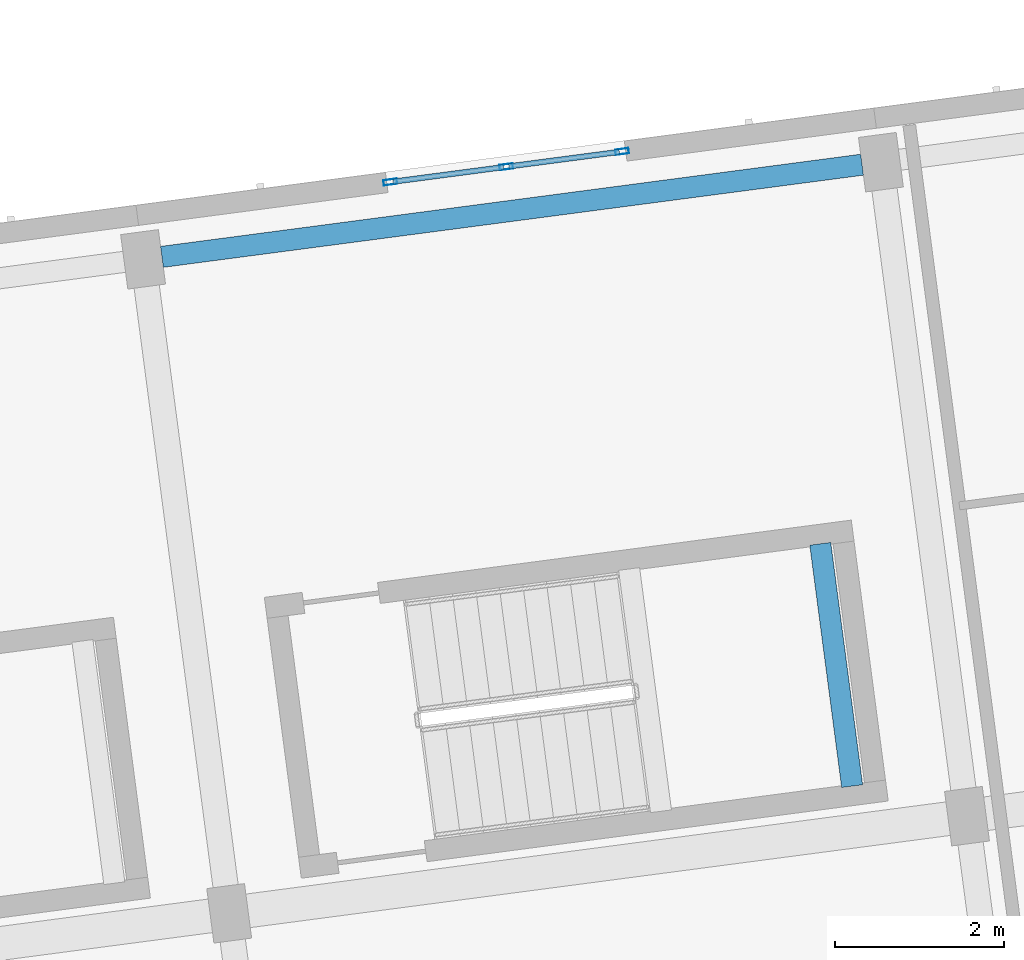
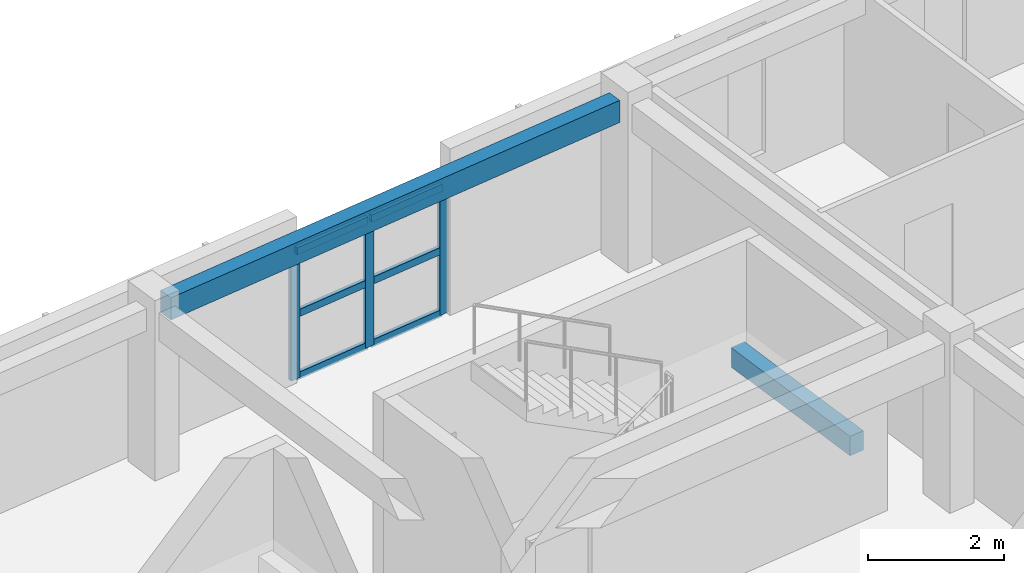
# One storey, part 5 of 31: 9 members, 2 beams, 1 element without a shape of its own.
"""IFC4 building model written with IfcOpenShell, lengths in metres."""

from ifc_helpers import new_model, si_unit, direction, frame, origin, origin_2d, place, context, subcontext, project, spatial, rectangle, hollow_rectangle, extrude, material, material_profile, profile_set, type_object, element, aggregate, save


model = new_model("IFC4")

# Units and contexts
model_context = context("Model", 3, precision=1e-05, world=origin(), true_north=direction((0.0, 1.0)))
body_context = subcontext(model_context, "Body", "Model", "MODEL_VIEW")
ifc_project = project(units=[si_unit("LENGTHUNIT", "METRE"), si_unit("AREAUNIT", "SQUARE_METRE"), si_unit("VOLUMEUNIT", "CUBIC_METRE"), si_unit("PLANEANGLEUNIT", "RADIAN"), si_unit("MASSUNIT", "GRAM", prefix="KILO")], contexts=[model_context])

# Site, building, storey
site_placement = place(None, origin())
site = spatial("IfcSite", under=ifc_project, at=site_placement, CompositionType="ELEMENT")
building_placement = place(site_placement, origin())
building = spatial("IfcBuilding", under=site, at=building_placement, Name="Kestramere Prow Commons", CompositionType="ELEMENT")
storey_placement = place(building_placement, frame((0.0, 0.0, 37.64990234375)))
storey = spatial("IfcBuildingStorey", under=building, at=storey_placement, Name="L11", CompositionType="ELEMENT", Elevation=37.64990234375)

# Beam
ifc_material_1 = material(Name="Concrete C40/50", Category="concrete")
ifc_material_profile_1 = material_profile(ifc_material_1, rectangle(XDim=0.25, YDim=0.35009765625, at=origin_2d()), Name="PC-BM 250x350")
ifc_profile_set_1 = profile_set([ifc_material_profile_1], Name="Concrete C40/50")
beam_type_1 = type_object("IfcBeamType", Name="BM-ST-TRIM", PredefinedType="BEAM", material=ifc_profile_set_1)
beam_1_placement = place(storey_placement, frame((34.423583984375, 87.897216796875, 1.25), z_axis=(-0.130509140242, 0.99144710616, 0.0), x_axis=(-0.99144710616, -0.130509140242, 0.0)))
element("IfcBeam", 1, at=beam_1_placement, inside=storey, type_object=beam_type_1, Name="ST-A2 L11 Landing Trimmer Beam 1B", PredefinedType="BEAM", context=body_context, shape_type="SweptSolid", body=[
    extrude(rectangle(XDim=0.25, YDim=0.35009765625, at=origin_2d()), origin(), (0.0, 0.0, 1.0), 2.89013671875),
])

# Curtain wall, members
ifc_material_2 = material(Name="Anodised Aluminium and Low-E Glass", Category="aluminium")
curtain_wall_type = type_object("IfcCurtainWallType", Name="CW-03 Glazed Curtain Wall 2830x2320", PredefinedType="USERDEFINED", material=ifc_material_2)
curtain_wall_placement = place(storey_placement, origin())
curtain_wall = element("IfcCurtainWall", 2, at=curtain_wall_placement, inside=storey, type_object=curtain_wall_type, Name="Block A L11 Stairwell Vertical Glazing 3", ObjectType="GLAZED CURTAIN WALL", PredefinedType="USERDEFINED")
ifc_material_3 = material(Name="Anodised Aluminium 6063-T6", Category="aluminium")
ifc_material_profile_2 = material_profile(ifc_material_3, hollow_rectangle(XDim=0.06494140625, YDim=0.159912109375, WallThickness=0.00390625, at=origin_2d()), Name="ALU-MUL 65x160")
ifc_profile_set_2 = profile_set([ifc_material_profile_2], Name="Anodised Aluminium 6063-T6")
member_type_1 = type_object("IfcMemberType", Name="CW-MUL-65x160", PredefinedType="MULLION", material=ifc_profile_set_2)
member_1_placement = place(storey_placement, frame((28.962158203125, 95.04052734375, 0.0), z_axis=(0.0, 0.0, 1.0), x_axis=(-0.130526494555, 0.991444821571, 0.0)))
member_1 = element("IfcMember", 3, at=member_1_placement, type_object=member_type_1, Name="CW-03 mullion 1", PredefinedType="MULLION", context=body_context, shape_type="SweptSolid", body=[
    extrude(hollow_rectangle(XDim=0.06494140625, YDim=0.159912109375, WallThickness=0.00390625, at=origin_2d()), origin(), (0.0, 0.0, 1.0), 2.320068359375),
])
member_2_placement = place(storey_placement, frame((30.332763671875, 95.220947265625, 0.0), z_axis=(0.0, 0.0, 1.0), x_axis=(-0.130526494555, 0.991444821571, 0.0)))
member_2 = element("IfcMember", 4, at=member_2_placement, type_object=member_type_1, Name="CW-03 mullion 2", PredefinedType="MULLION", context=body_context, shape_type="SweptSolid", body=[
    extrude(hollow_rectangle(XDim=0.06494140625, YDim=0.159912109375, WallThickness=0.00390625, at=origin_2d()), origin(), (0.0, 0.0, 1.0), 2.320068359375),
])
member_3_placement = place(storey_placement, frame((31.703369140625, 95.4013671875, 0.0), z_axis=(0.0, 0.0, 1.0), x_axis=(-0.130526494555, 0.991444821571, 0.0)))
member_3 = element("IfcMember", 5, at=member_3_placement, type_object=member_type_1, Name="CW-03 mullion 3", PredefinedType="MULLION", context=body_context, shape_type="SweptSolid", body=[
    extrude(hollow_rectangle(XDim=0.06494140625, YDim=0.159912109375, WallThickness=0.00390625, at=origin_2d()), origin(), (0.0, 0.0, 1.0), 2.320068359375),
])
ifc_material_profile_3 = material_profile(ifc_material_3, hollow_rectangle(XDim=0.06494140625, YDim=0.1298828125, WallThickness=0.00390625, at=origin_2d()), Name="ALU-TRN 65x130")
ifc_profile_set_3 = profile_set([ifc_material_profile_3], Name="Anodised Aluminium 6063-T6")
member_type_2 = type_object("IfcMemberType", Name="CW-TRN-65x130", PredefinedType="USERDEFINED", material=ifc_profile_set_3)
member_4_placement = place(storey_placement, frame((28.994384765625, 95.044677734375, 0.03271484375), z_axis=(0.99142904707, 0.130646257605, 0.0), x_axis=(-0.130646257605, 0.99142904707, 0.0)))
member_4 = element("IfcMember", 6, at=member_4_placement, type_object=member_type_2, Name="CW-03 transom 1.1", ObjectType="TRANSOM", PredefinedType="USERDEFINED", context=body_context, shape_type="SweptSolid", body=[
    extrude(hollow_rectangle(XDim=0.06494140625, YDim=0.1298828125, WallThickness=0.00390625, at=origin_2d()), origin(), (0.0, 0.0, 1.0), 1.3173828125),
])
member_5_placement = place(storey_placement, frame((28.994384765625, 95.044677734375, 1.16015625), z_axis=(0.99142904707, 0.130646257605, 0.0), x_axis=(-0.130646257605, 0.99142904707, 0.0)))
member_5 = element("IfcMember", 7, at=member_5_placement, type_object=member_type_2, Name="CW-03 transom 1.2", ObjectType="TRANSOM", PredefinedType="USERDEFINED", context=body_context, shape_type="SweptSolid", body=[
    extrude(hollow_rectangle(XDim=0.06494140625, YDim=0.1298828125, WallThickness=0.00390625, at=origin_2d()), origin(), (0.0, 0.0, 1.0), 1.3173828125),
])
member_6_placement = place(storey_placement, frame((28.994384765625, 95.044677734375, 2.28759765625), z_axis=(0.99142904707, 0.130646257605, 0.0), x_axis=(-0.130646257605, 0.99142904707, 0.0)))
member_6 = element("IfcMember", 8, at=member_6_placement, type_object=member_type_2, Name="CW-03 transom 1.3", ObjectType="TRANSOM", PredefinedType="USERDEFINED", context=body_context, shape_type="SweptSolid", body=[
    extrude(hollow_rectangle(XDim=0.06494140625, YDim=0.1298828125, WallThickness=0.00390625, at=origin_2d()), origin(), (0.0, 0.0, 1.0), 1.3173828125),
])
member_7_placement = place(storey_placement, frame((30.364990234375, 95.225341796875, 0.03271484375), z_axis=(0.991453033969, 0.130464100171, 0.0), x_axis=(-0.130464100171, 0.991453033969, 0.0)))
member_7 = element("IfcMember", 9, at=member_7_placement, type_object=member_type_2, Name="CW-03 transom 2.1", ObjectType="TRANSOM", PredefinedType="USERDEFINED", context=body_context, shape_type="SweptSolid", body=[
    extrude(hollow_rectangle(XDim=0.06494140625, YDim=0.1298828125, WallThickness=0.00390625, at=origin_2d()), origin(), (0.0, 0.0, 1.0), 1.3173828125),
])
member_8_placement = place(storey_placement, frame((30.364990234375, 95.225341796875, 1.16015625), z_axis=(0.991453033969, 0.130464100171, 0.0), x_axis=(-0.130464100171, 0.991453033969, 0.0)))
member_8 = element("IfcMember", 10, at=member_8_placement, type_object=member_type_2, Name="CW-03 transom 2.2", ObjectType="TRANSOM", PredefinedType="USERDEFINED", context=body_context, shape_type="SweptSolid", body=[
    extrude(hollow_rectangle(XDim=0.06494140625, YDim=0.1298828125, WallThickness=0.00390625, at=origin_2d()), origin(), (0.0, 0.0, 1.0), 1.3173828125),
])
member_9_placement = place(storey_placement, frame((30.364990234375, 95.225341796875, 2.28759765625), z_axis=(0.991453033969, 0.130464100171, 0.0), x_axis=(-0.130464100171, 0.991453033969, 0.0)))
member_9 = element("IfcMember", 11, at=member_9_placement, type_object=member_type_2, Name="CW-03 transom 2.3", ObjectType="TRANSOM", PredefinedType="USERDEFINED", context=body_context, shape_type="SweptSolid", body=[
    extrude(hollow_rectangle(XDim=0.06494140625, YDim=0.1298828125, WallThickness=0.00390625, at=origin_2d()), origin(), (0.0, 0.0, 1.0), 1.3173828125),
])
aggregate(curtain_wall, [member_1, member_2, member_3, member_4, member_5, member_6, member_7, member_8, member_9])

# Beam
ifc_material_4 = material(Name="Precast concrete C40/50", Category="concrete")
ifc_material_profile_4 = material_profile(ifc_material_4, rectangle(XDim=0.25, YDim=0.39990234375, at=origin_2d()), Name="PC-SP 250x400")
ifc_profile_set_4 = profile_set([ifc_material_profile_4], Name="Precast concrete C40/50")
beam_type_2 = type_object("IfcBeamType", Name="SP-EXT-01 PC-SP 250x400", PredefinedType="SPANDREL", material=ifc_profile_set_4)
beam_2_placement = place(storey_placement, frame((26.261962890625, 94.155517578125, 2.800048828125), z_axis=(0.991445635283, 0.13052031366, 0.0), x_axis=(-0.13052031366, 0.991445635283, 0.0)))
element("IfcBeam", 12, at=beam_2_placement, inside=storey, type_object=beam_type_2, Name="Block A L11 Longitudinal Beam 4-3", PredefinedType="SPANDREL", context=body_context, shape_type="SweptSolid", body=[
    extrude(rectangle(XDim=0.25, YDim=0.39990234375, at=origin_2d()), origin(), (0.0, 0.0, 1.0), 8.35009765625),
])

save(model, "model.ifc")
